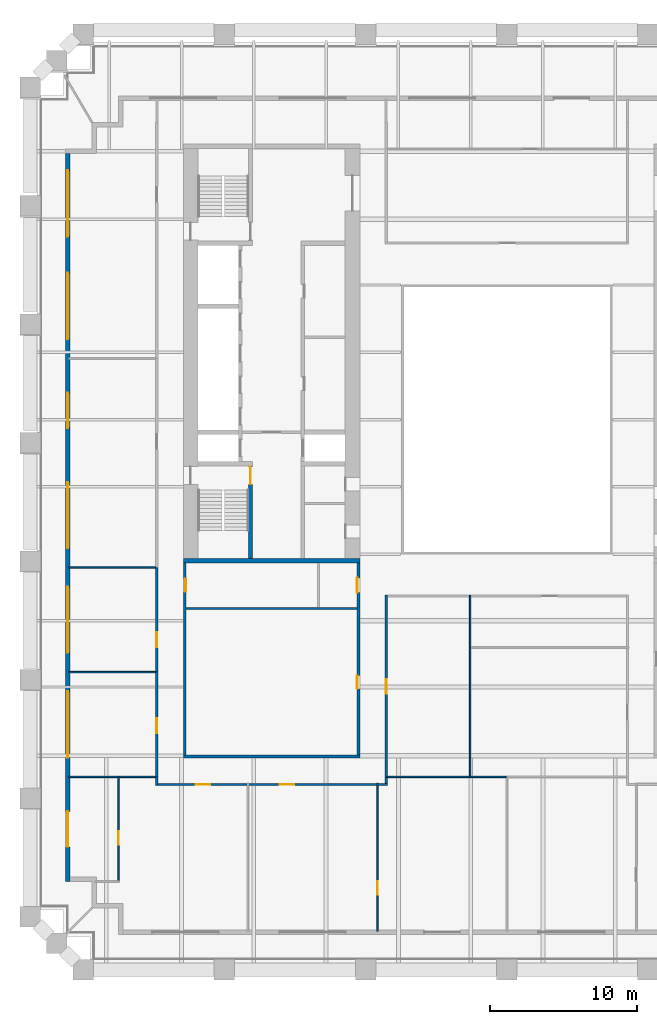
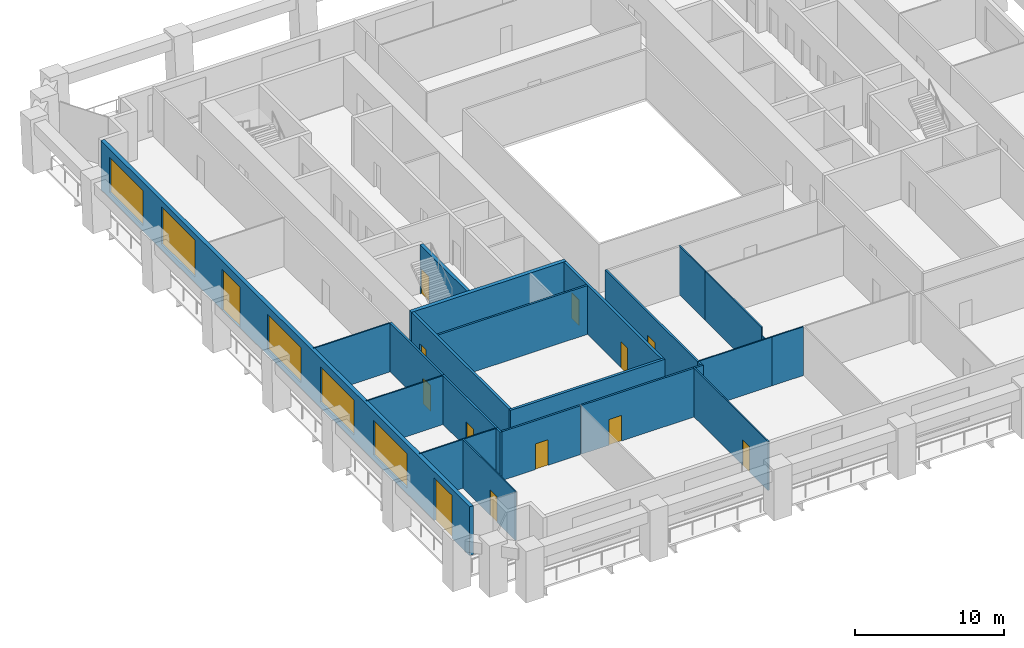
# One storey, part 3 of 10: 26 walls, 13 doors, 5 windows, 18 openings.
"""IFC4 building model written with IfcOpenShell, lengths in metres."""

from ifc_helpers import new_model, si_unit, direction, frame, frame_2d, origin, place, context, subcontext, project, spatial, rectangle, extrude, material, layer, layer_set, type_object, element, fill, save


model = new_model("IFC4")

# Units and contexts
model_context = context("Model", 3, precision=1e-05, world=origin(), true_north=direction((0.0, 1.0)))
body_context = subcontext(model_context, "Body", "Model", "MODEL_VIEW")
ifc_project = project(units=[si_unit("LENGTHUNIT", "METRE"), si_unit("AREAUNIT", "SQUARE_METRE"), si_unit("VOLUMEUNIT", "CUBIC_METRE"), si_unit("PLANEANGLEUNIT", "RADIAN"), si_unit("MASSUNIT", "GRAM", prefix="KILO")], contexts=[model_context])

# Site, building, storey
site_placement = place(None, origin())
site = spatial("IfcSite", under=ifc_project, at=site_placement, CompositionType="ELEMENT")
building_placement = place(site_placement, origin())
building = spatial("IfcBuilding", under=site, at=building_placement, Name="Ogive Exchange Tower", CompositionType="ELEMENT")
storey_placement = place(building_placement, frame((0.0, 0.0, 52.199951171875)))
storey = spatial("IfcBuildingStorey", under=building, at=storey_placement, Name="L10", CompositionType="ELEMENT", Elevation=52.199951171875)

# Walls
ifc_material_1 = material(Name="Gypsum board partition")
ifc_layer_1 = layer(ifc_material_1, 0.14990234375)
ifc_layer_set_1 = layer_set([ifc_layer_1], Name="Core room partition 150 gypsum")
wall_type_1 = type_object("IfcWallType", Name="Core room partition 150 gypsum", PredefinedType="PARTITIONING", material=ifc_layer_set_1)
wall_1_placement = place(storey_placement, frame((-21.800048828125, -5.85009765625, 0.0), z_axis=(0.0, 0.0, 1.0), x_axis=(1.0, 0.0, 0.0)))
element("IfcWall", 1, at=wall_1_placement, inside=storey, type_object=wall_type_1, Name="W annex S wc strip wall 00", PredefinedType="PARTITIONING", context=body_context, shape_type="SweptSolid", body=[
    extrude(rectangle(XDim=11.60009765625, YDim=0.14990234375, at=frame_2d((5.800048828125, 0.0))), origin(), (0.0, 0.0, 1.0), 4.0),
])
ifc_material_2 = material(Name="Fire partition EI 60 150")
ifc_layer_2 = layer(ifc_material_2, 0.14990234375)
ifc_layer_set_2 = layer_set([ifc_layer_2], Name="Fire partition EI 60 150")
wall_type_2 = type_object("IfcWallType", Name="Fire partition EI 60 150", PredefinedType="PARTITIONING", material=ifc_layer_set_2)
wall_2_placement = place(storey_placement, frame((-23.800048828125, -17.875, 0.0), z_axis=(0.0, 0.0, 1.0), x_axis=(0.0, 1.0, 0.0)))
element("IfcWall", 2, at=wall_2_placement, inside=storey, type_object=wall_type_2, Name="L10-PWL-004", PredefinedType="PARTITIONING", context=body_context, shape_type="SweptSolid", body=[
    extrude(rectangle(XDim=0.5849609375, YDim=0.14990234375, at=frame_2d((0.29248046875, 0.0))), origin(), (0.0, 0.0, 1.0), 4.0),
])

# Wall, opening, door
wall_3_placement = place(storey_placement, frame((-23.800048828125, -17.2900390625, 0.0), z_axis=(0.0, 0.0, 1.0), x_axis=(0.0, 1.0, 0.0)))
wall_3 = element("IfcWall", 3, at=wall_3_placement, inside=storey, type_object=wall_type_2, Name="L10-PWL-006", PredefinedType="PARTITIONING", context=body_context, shape_type="SweptSolid", body=[
    extrude(rectangle(XDim=7.169921875, YDim=0.14990234375, at=frame_2d((3.5849609375, 0.0))), origin(), (0.0, 0.0, 1.0), 4.0),
])
opening_1_placement = place(wall_3_placement, frame((2.969970703125, 0.0, 0.0)))
opening_1 = element("IfcOpeningElement", 4, at=opening_1_placement, cuts=wall_3, Name="Opening L10-I13", PredefinedType="OPENING", context=body_context, shape_type="SweptSolid", body=[
    extrude(rectangle(XDim=1.0, YDim=2.10009765625, at=frame_2d((0.5, 1.050048828125))), frame((0.0, 0.0849609375, 0.0), z_axis=(0.0, -1.0, 0.0), x_axis=(1.0, 0.0, 0.0)), (0.0, 0.0, 1.0), 0.169921875),
])
ifc_material_3 = material(Name="Fire door FD 30S 1000 x 2100")
door_type_1 = type_object("IfcDoorType", Name="Fire door FD 30S 1000 x 2100", OperationType="NOTDEFINED", PredefinedType="DOOR", material=ifc_material_3)
door_1_placement = place(opening_1_placement, origin())
door_1 = element("IfcDoor", 5, at=door_1_placement, inside=storey, type_object=door_type_1, Name="L10-IDR-013", ObjectType="DT3", OperationType="SINGLE_SWING_LEFT", OverallHeight=2.10009765625, OverallWidth=1.0, PredefinedType="DOOR", context=body_context, shape_type="SweptSolid", body=[
    extrude(rectangle(XDim=1.0, YDim=2.10009765625, at=frame_2d((0.5, 1.050048828125))), frame((0.0, 0.02490234375, 0.0), z_axis=(0.0, -1.0, 0.0), x_axis=(1.0, 0.0, 0.0)), (0.0, 0.0, 1.0), 0.050048828125),
])
fill(opening_1, door_1)

wall_4_placement = place(storey_placement, frame((-23.800048828125, -10.1201171875, 0.0), z_axis=(0.0, 0.0, 1.0), x_axis=(0.0, 1.0, 0.0)))
wall_4 = element("IfcWall", 6, at=wall_4_placement, inside=storey, type_object=wall_type_2, Name="L10-PWL-008", PredefinedType="PARTITIONING", context=body_context, shape_type="SweptSolid", body=[
    extrude(rectangle(XDim=7.06005859375, YDim=0.14990234375, at=frame_2d((3.530029296875, 0.0))), origin(), (0.0, 0.0, 1.0), 4.0),
])
opening_2_placement = place(wall_4_placement, frame((1.659912109375, 0.0, 0.0)))
opening_2 = element("IfcOpeningElement", 7, at=opening_2_placement, cuts=wall_4, Name="Opening L10-I12", PredefinedType="OPENING", context=body_context, shape_type="SweptSolid", body=[
    extrude(rectangle(XDim=1.0, YDim=2.10009765625, at=frame_2d((0.5, 1.050048828125))), frame((0.0, 0.0849609375, 0.0), z_axis=(0.0, -1.0, 0.0), x_axis=(1.0, 0.0, 0.0)), (0.0, 0.0, 1.0), 0.169921875),
])
door_2_placement = place(opening_2_placement, origin())
door_2 = element("IfcDoor", 8, at=door_2_placement, inside=storey, type_object=door_type_1, Name="L10-IDR-012", ObjectType="DT3", OperationType="SINGLE_SWING_RIGHT", OverallHeight=2.10009765625, OverallWidth=1.0, PredefinedType="DOOR", context=body_context, shape_type="SweptSolid", body=[
    extrude(rectangle(XDim=1.0, YDim=2.10009765625, at=frame_2d((0.5, 1.050048828125))), frame((0.0, 0.02490234375, 0.0), z_axis=(0.0, -1.0, 0.0), x_axis=(1.0, 0.0, 0.0)), (0.0, 0.0, 1.0), 0.050048828125),
])
fill(opening_2, door_2)

wall_5_placement = place(storey_placement, frame((-17.64990234375, -17.800048828125, 0.0), z_axis=(0.0, 0.0, 1.0), x_axis=(-1.0, 0.0, 0.0)))
wall_5 = element("IfcWall", 9, at=wall_5_placement, inside=storey, type_object=wall_type_2, Name="L10-PWL-015", PredefinedType="PARTITIONING", context=body_context, shape_type="SweptSolid", body=[
    extrude(rectangle(XDim=6.0751953125, YDim=0.14990234375, at=frame_2d((3.03759765625, 0.0))), origin(), (0.0, 0.0, 1.0), 4.0),
])
opening_3_placement = place(wall_5_placement, frame((2.5, 0.0, 0.0)))
opening_3 = element("IfcOpeningElement", 10, at=opening_3_placement, cuts=wall_5, Name="Opening L10-I20", PredefinedType="OPENING", context=body_context, shape_type="SweptSolid", body=[
    extrude(rectangle(XDim=1.0, YDim=2.10009765625, at=frame_2d((0.5, 1.050048828125))), frame((0.0, 0.0849609375, 0.0), z_axis=(0.0, -1.0, 0.0), x_axis=(1.0, 0.0, 0.0)), (0.0, 0.0, 1.0), 0.169921875),
])
door_3_placement = place(opening_3_placement, origin())
door_3 = element("IfcDoor", 11, at=door_3_placement, inside=storey, type_object=door_type_1, Name="L10-IDR-020", ObjectType="DT3", OperationType="SINGLE_SWING_RIGHT", OverallHeight=2.10009765625, OverallWidth=1.0, PredefinedType="DOOR", context=body_context, shape_type="SweptSolid", body=[
    extrude(rectangle(XDim=1.0, YDim=2.10009765625, at=frame_2d((0.5, 1.050048828125))), frame((0.0, 0.02490234375, 0.0), z_axis=(0.0, -1.0, 0.0), x_axis=(1.0, 0.0, 0.0)), (0.0, 0.0, 1.0), 0.050048828125),
])
fill(opening_3, door_3)

wall_6_placement = place(storey_placement, frame((-8.85009765625, -17.800048828125, 0.0), z_axis=(0.0, 0.0, 1.0), x_axis=(-1.0, 0.0, 0.0)))
wall_6 = element("IfcWall", 12, at=wall_6_placement, inside=storey, type_object=wall_type_2, Name="L10-PWL-017", PredefinedType="PARTITIONING", context=body_context, shape_type="SweptSolid", body=[
    extrude(rectangle(XDim=8.699951171875, YDim=0.14990234375, at=frame_2d((4.35009765625, 0.0))), origin(), (0.0, 0.0, 1.0), 4.0),
])
opening_4_placement = place(wall_6_placement, frame((5.60009765625, 0.0, 0.0)))
opening_4 = element("IfcOpeningElement", 13, at=opening_4_placement, cuts=wall_6, Name="Opening L10-I19", PredefinedType="OPENING", context=body_context, shape_type="SweptSolid", body=[
    extrude(rectangle(XDim=1.0, YDim=2.10009765625, at=frame_2d((0.5, 1.050048828125))), frame((0.0, 0.0849609375, 0.0), z_axis=(0.0, -1.0, 0.0), x_axis=(1.0, 0.0, 0.0)), (0.0, 0.0, 1.0), 0.169921875),
])
door_4_placement = place(opening_4_placement, origin())
door_4 = element("IfcDoor", 14, at=door_4_placement, inside=storey, type_object=door_type_1, Name="L10-IDR-019", ObjectType="DT3", OperationType="SINGLE_SWING_LEFT", OverallHeight=2.10009765625, OverallWidth=1.0, PredefinedType="DOOR", context=body_context, shape_type="SweptSolid", body=[
    extrude(rectangle(XDim=1.0, YDim=2.10009765625, at=frame_2d((0.5, 1.050048828125))), frame((0.0, 0.02490234375, 0.0), z_axis=(0.0, -1.0, 0.0), x_axis=(1.0, 0.0, 0.0)), (0.0, 0.0, 1.0), 0.050048828125),
])
fill(opening_4, door_4)

# Walls
wall_7_placement = place(storey_placement, frame((-8.125, -17.800048828125, 0.0), z_axis=(0.0, 0.0, 1.0), x_axis=(-1.0, 0.0, 0.0)))
element("IfcWall", 15, at=wall_7_placement, inside=storey, type_object=wall_type_2, Name="L10-PWL-019", PredefinedType="PARTITIONING", context=body_context, shape_type="SweptSolid", body=[
    extrude(rectangle(XDim=0.625, YDim=0.14990234375, at=frame_2d((0.3125, 0.0))), origin(), (0.0, 0.0, 1.0), 4.0),
])
wall_8_placement = place(storey_placement, frame((-8.199951171875, -17.340087890625, 0.0), z_axis=(0.0, 0.0, 1.0), x_axis=(0.0, -1.0, 0.0)))
element("IfcWall", 16, at=wall_8_placement, inside=storey, type_object=wall_type_2, Name="L10-PWL-020", PredefinedType="PARTITIONING", context=body_context, shape_type="SweptSolid", body=[
    extrude(rectangle(XDim=0.385009765625, YDim=0.14990234375, at=frame_2d((0.1923828125, 0.0))), origin(), (0.0, 0.0, 1.0), 4.0),
])

# Wall, opening, door
wall_9_placement = place(storey_placement, frame((-8.199951171875, -4.925048828125, 0.0), z_axis=(0.0, 0.0, 1.0), x_axis=(0.0, -1.0, 0.0)))
wall_9 = element("IfcWall", 17, at=wall_9_placement, inside=storey, type_object=wall_type_2, Name="L10-PWL-021", PredefinedType="PARTITIONING", context=body_context, shape_type="SweptSolid", body=[
    extrude(rectangle(XDim=12.4150390625, YDim=0.14990234375, at=frame_2d((6.20751953125, 0.0))), origin(), (0.0, 0.0, 1.0), 4.0),
])
opening_5_placement = place(wall_9_placement, frame((5.715087890625, 0.0, 0.0)))
opening_5 = element("IfcOpeningElement", 18, at=opening_5_placement, cuts=wall_9, Name="Opening L10-I10", PredefinedType="OPENING", context=body_context, shape_type="SweptSolid", body=[
    extrude(rectangle(XDim=1.0, YDim=2.10009765625, at=frame_2d((0.5, 1.050048828125))), frame((0.0, 0.0849609375, 0.0), z_axis=(0.0, -1.0, 0.0), x_axis=(1.0, 0.0, 0.0)), (0.0, 0.0, 1.0), 0.169921875),
])
door_5_placement = place(opening_5_placement, origin())
door_5 = element("IfcDoor", 19, at=door_5_placement, inside=storey, type_object=door_type_1, Name="L10-IDR-010", ObjectType="DT3", OperationType="SINGLE_SWING_LEFT", OverallHeight=2.10009765625, OverallWidth=1.0, PredefinedType="DOOR", context=body_context, shape_type="SweptSolid", body=[
    extrude(rectangle(XDim=1.0, YDim=2.10009765625, at=frame_2d((0.5, 1.050048828125))), frame((0.0, 0.02490234375, 0.0), z_axis=(0.0, -1.0, 0.0), x_axis=(1.0, 0.0, 0.0)), (0.0, 0.0, 1.0), 0.050048828125),
])
fill(opening_5, door_5)

# Wall, openings, doors, windows
ifc_material_4 = material(Name="Precast concrete C40/50", Category="concrete")
ifc_layer_3 = layer(ifc_material_4, 0.300048828125)
ifc_layer_set_3 = layer_set([ifc_layer_3], Name="Limestone-faced wall 300")
wall_type_3 = type_object("IfcWallType", Name="Limestone-faced wall 300", PredefinedType="STANDARD", material=ifc_layer_set_3)
wall_10_placement = place(storey_placement, frame((-29.85009765625, 25.10009765625, 0.0), z_axis=(0.0, 0.0, 1.0), x_axis=(0.0, -1.0, 0.0)))
wall_10 = element("IfcWall", 20, at=wall_10_placement, inside=storey, type_object=wall_type_3, Name="External wall W4", PredefinedType="STANDARD", context=body_context, shape_type="SweptSolid", body=[
    extrude(rectangle(XDim=49.5, YDim=0.300048828125, at=frame_2d((24.75, 0.0))), origin(), (0.0, 0.0, 1.0), 4.0),
])
opening_6_placement = place(wall_10_placement, frame((1.156982421875, 0.0, 0.449951171875)))
opening_6 = element("IfcOpeningElement", 21, at=opening_6_placement, cuts=wall_10, Name="Opening W1D", PredefinedType="OPENING", context=body_context, shape_type="SweptSolid", body=[
    extrude(rectangle(XDim=4.5, YDim=2.875, at=frame_2d((2.25, 1.4375))), frame((0.0, 0.159912109375, 0.0), z_axis=(0.0, -1.0, 0.0), x_axis=(1.0, 0.0, 0.0)), (0.0, 0.0, 1.0), 0.320068359375),
])
opening_7_placement = place(wall_10_placement, frame((8.121337890625, 0.0, 0.449951171875)))
opening_7 = element("IfcOpeningElement", 22, at=opening_7_placement, cuts=wall_10, Name="Opening W1", PredefinedType="OPENING", context=body_context, shape_type="SweptSolid", body=[
    extrude(rectangle(XDim=4.5, YDim=3.050048828125, at=frame_2d((2.25, 1.52490234375))), frame((0.0, 0.159912109375, 0.0), z_axis=(0.0, -1.0, 0.0), x_axis=(1.0, 0.0, 0.0)), (0.0, 0.0, 1.0), 0.320068359375),
])
opening_8_placement = place(wall_10_placement, frame((16.28564453125, 0.0, 0.0)))
opening_8 = element("IfcOpeningElement", 23, at=opening_8_placement, cuts=wall_10, Name="Opening D1C", PredefinedType="OPENING", context=body_context, shape_type="SweptSolid", body=[
    extrude(rectangle(XDim=2.39990234375, YDim=3.324951171875, at=frame_2d((1.199951171875, 1.66259765625))), frame((0.0, 0.159912109375, 0.0), z_axis=(0.0, -1.0, 0.0), x_axis=(1.0, 0.0, 0.0)), (0.0, 0.0, 1.0), 0.320068359375),
])
opening_9_placement = place(wall_10_placement, frame((22.35009765625, 0.0, 0.449951171875)))
opening_9 = element("IfcOpeningElement", 24, at=opening_9_placement, cuts=wall_10, Name="Opening W1D", PredefinedType="OPENING", context=body_context, shape_type="SweptSolid", body=[
    extrude(rectangle(XDim=4.5, YDim=2.875, at=frame_2d((2.25, 1.4375))), frame((0.0, 0.159912109375, 0.0), z_axis=(0.0, -1.0, 0.0), x_axis=(1.0, 0.0, 0.0)), (0.0, 0.0, 1.0), 0.320068359375),
])
opening_10_placement = place(wall_10_placement, frame((29.464111328125, 0.0, 0.449951171875)))
opening_10 = element("IfcOpeningElement", 25, at=opening_10_placement, cuts=wall_10, Name="Opening W1D", PredefinedType="OPENING", context=body_context, shape_type="SweptSolid", body=[
    extrude(rectangle(XDim=4.5, YDim=2.875, at=frame_2d((2.25, 1.4375))), frame((0.0, 0.159912109375, 0.0), z_axis=(0.0, -1.0, 0.0), x_axis=(1.0, 0.0, 0.0)), (0.0, 0.0, 1.0), 0.320068359375),
])
opening_11_placement = place(wall_10_placement, frame((36.57861328125, 0.0, 0.449951171875)))
opening_11 = element("IfcOpeningElement", 26, at=opening_11_placement, cuts=wall_10, Name="Opening W1E", PredefinedType="OPENING", context=body_context, shape_type="SweptSolid", body=[
    extrude(rectangle(XDim=4.5, YDim=2.824951171875, at=frame_2d((2.25, 1.41259765625))), frame((0.0, 0.159912109375, 0.0), z_axis=(0.0, -1.0, 0.0), x_axis=(1.0, 0.0, 0.0)), (0.0, 0.0, 1.0), 0.320068359375),
])
opening_12_placement = place(wall_10_placement, frame((44.742919921875, 0.0, 0.0)))
opening_12 = element("IfcOpeningElement", 27, at=opening_12_placement, cuts=wall_10, Name="Opening D1", PredefinedType="OPENING", context=body_context, shape_type="SweptSolid", body=[
    extrude(rectangle(XDim=2.39990234375, YDim=3.5, at=frame_2d((1.199951171875, 1.75))), frame((0.0, 0.159912109375, 0.0), z_axis=(0.0, -1.0, 0.0), x_axis=(1.0, 0.0, 0.0)), (0.0, 0.0, 1.0), 0.320068359375),
])
ifc_material_5 = material(Name="Clear glass in bronze frame", Category="glass")
door_type_2 = type_object("IfcDoorType", Name="Sliding loggia door 2400 x 3325", OperationType="DOUBLE_DOOR_SLIDING", PredefinedType="DOOR", material=ifc_material_5)
door_6_placement = place(opening_8_placement, origin())
door_6 = element("IfcDoor", 28, at=door_6_placement, inside=storey, type_object=door_type_2, Name="Loggia door W02", OperationType="DOUBLE_DOOR_SLIDING", OverallHeight=3.324951171875, OverallWidth=2.39990234375, PredefinedType="DOOR", context=body_context, shape_type="SweptSolid", body=[
    extrude(rectangle(XDim=2.39990234375, YDim=3.324951171875, at=frame_2d((1.199951171875, 1.66259765625))), frame((0.0, 0.02490234375, 0.0), z_axis=(0.0, -1.0, 0.0), x_axis=(1.0, 0.0, 0.0)), (0.0, 0.0, 1.0), 0.050048828125),
])
fill(opening_8, door_6)
door_type_3 = type_object("IfcDoorType", Name="Sliding loggia door 2400 x 3500", OperationType="DOUBLE_DOOR_SLIDING", PredefinedType="DOOR", material=ifc_material_5)
door_7_placement = place(opening_12_placement, origin())
door_7 = element("IfcDoor", 29, at=door_7_placement, inside=storey, type_object=door_type_3, Name="Loggia door W06", OperationType="DOUBLE_DOOR_SLIDING", OverallHeight=3.5, OverallWidth=2.39990234375, PredefinedType="DOOR", context=body_context, shape_type="SweptSolid", body=[
    extrude(rectangle(XDim=2.39990234375, YDim=3.5, at=frame_2d((1.199951171875, 1.75))), frame((0.0, 0.02490234375, 0.0), z_axis=(0.0, -1.0, 0.0), x_axis=(1.0, 0.0, 0.0)), (0.0, 0.0, 1.0), 0.050048828125),
])
fill(opening_12, door_7)
window_type_1 = type_object("IfcWindowType", Name="Twin lancet window 4500 x 2825", PartitioningType="DOUBLE_PANEL_VERTICAL", PredefinedType="WINDOW", material=ifc_material_5)
window_1_placement = place(opening_11_placement, origin())
window_1 = element("IfcWindow", 30, at=window_1_placement, inside=storey, type_object=window_type_1, Name="Window W05", OverallHeight=2.824951171875, OverallWidth=4.5, PartitioningType="DOUBLE_PANEL_VERTICAL", PredefinedType="WINDOW", context=body_context, shape_type="SweptSolid", body=[
    extrude(rectangle(XDim=4.5, YDim=2.824951171875, at=frame_2d((2.25, 1.41259765625))), frame((0.0, 0.030029296875, 0.0), z_axis=(0.0, -1.0, 0.0), x_axis=(1.0, 0.0, 0.0)), (0.0, 0.0, 1.0), 0.06005859375),
])
fill(opening_11, window_1)
window_type_2 = type_object("IfcWindowType", Name="Twin lancet window 4500 x 2875", PartitioningType="DOUBLE_PANEL_VERTICAL", PredefinedType="WINDOW", material=ifc_material_5)
window_2_placement = place(opening_6_placement, origin())
window_2 = element("IfcWindow", 31, at=window_2_placement, inside=storey, type_object=window_type_2, Name="Window W00", OverallHeight=2.875, OverallWidth=4.5, PartitioningType="DOUBLE_PANEL_VERTICAL", PredefinedType="WINDOW", context=body_context, shape_type="SweptSolid", body=[
    extrude(rectangle(XDim=4.5, YDim=2.875, at=frame_2d((2.25, 1.4375))), frame((0.0, 0.030029296875, 0.0), z_axis=(0.0, -1.0, 0.0), x_axis=(1.0, 0.0, 0.0)), (0.0, 0.0, 1.0), 0.06005859375),
])
fill(opening_6, window_2)
window_3_placement = place(opening_9_placement, origin())
window_3 = element("IfcWindow", 32, at=window_3_placement, inside=storey, type_object=window_type_2, Name="Window W03", OverallHeight=2.875, OverallWidth=4.5, PartitioningType="DOUBLE_PANEL_VERTICAL", PredefinedType="WINDOW", context=body_context, shape_type="SweptSolid", body=[
    extrude(rectangle(XDim=4.5, YDim=2.875, at=frame_2d((2.25, 1.4375))), frame((0.0, 0.030029296875, 0.0), z_axis=(0.0, -1.0, 0.0), x_axis=(1.0, 0.0, 0.0)), (0.0, 0.0, 1.0), 0.06005859375),
])
fill(opening_9, window_3)
window_4_placement = place(opening_10_placement, origin())
window_4 = element("IfcWindow", 33, at=window_4_placement, inside=storey, type_object=window_type_2, Name="Window W04", OverallHeight=2.875, OverallWidth=4.5, PartitioningType="DOUBLE_PANEL_VERTICAL", PredefinedType="WINDOW", context=body_context, shape_type="SweptSolid", body=[
    extrude(rectangle(XDim=4.5, YDim=2.875, at=frame_2d((2.25, 1.4375))), frame((0.0, 0.030029296875, 0.0), z_axis=(0.0, -1.0, 0.0), x_axis=(1.0, 0.0, 0.0)), (0.0, 0.0, 1.0), 0.06005859375),
])
fill(opening_10, window_4)
window_type_3 = type_object("IfcWindowType", Name="Twin lancet window 4500 x 3050", PartitioningType="DOUBLE_PANEL_VERTICAL", PredefinedType="WINDOW", material=ifc_material_5)
window_5_placement = place(opening_7_placement, origin())
window_5 = element("IfcWindow", 34, at=window_5_placement, inside=storey, type_object=window_type_3, Name="Window W01", OverallHeight=3.050048828125, OverallWidth=4.5, PartitioningType="DOUBLE_PANEL_VERTICAL", PredefinedType="WINDOW", context=body_context, shape_type="SweptSolid", body=[
    extrude(rectangle(XDim=4.5, YDim=3.050048828125, at=frame_2d((2.25, 1.52490234375))), frame((0.0, 0.030029296875, 0.0), z_axis=(0.0, -1.0, 0.0), x_axis=(1.0, 0.0, 0.0)), (0.0, 0.0, 1.0), 0.06005859375),
])
fill(opening_7, window_5)

# Wall, opening, door
ifc_material_6 = material(Name="Partition 100 gypsum")
ifc_layer_4 = layer(ifc_material_6, 0.10009765625)
ifc_layer_set_4 = layer_set([ifc_layer_4], Name="Partition 100 gypsum")
wall_type_4 = type_object("IfcWallType", Name="Partition 100 gypsum", PredefinedType="PARTITIONING", material=ifc_layer_set_4)
wall_11_placement = place(storey_placement, frame((-26.39990234375, -24.360107421875, 0.0), z_axis=(0.0, 0.0, 1.0), x_axis=(0.0, 1.0, 0.0)))
wall_11 = element("IfcWall", 35, at=wall_11_placement, inside=storey, type_object=wall_type_4, Name="L10-PWL-002", PredefinedType="PARTITIONING", context=body_context, shape_type="SweptSolid", body=[
    extrude(rectangle(XDim=7.1201171875, YDim=0.10009765625, at=frame_2d((3.56005859375, 0.0))), origin(), (0.0, 0.0, 1.0), 4.0),
])
opening_13_placement = place(wall_11_placement, frame((2.469970703125, 0.0, 0.0)))
opening_13 = element("IfcOpeningElement", 36, at=opening_13_placement, cuts=wall_11, Name="Opening L10-I21", PredefinedType="OPENING", context=body_context, shape_type="SweptSolid", body=[
    extrude(rectangle(XDim=0.89990234375, YDim=2.10009765625, at=frame_2d((0.449951171875, 1.050048828125))), frame((0.0, 0.06005859375, 0.0), z_axis=(0.0, -1.0, 0.0), x_axis=(1.0, 0.0, 0.0)), (0.0, 0.0, 1.0), 0.1201171875),
])
ifc_material_7 = material(Name="Door 900 x 2100")
door_type_4 = type_object("IfcDoorType", Name="Door 900 x 2100", OperationType="NOTDEFINED", PredefinedType="DOOR", material=ifc_material_7)
door_8_placement = place(opening_13_placement, origin())
door_8 = element("IfcDoor", 37, at=door_8_placement, inside=storey, type_object=door_type_4, Name="L10-IDR-021", ObjectType="DT1", OperationType="SINGLE_SWING_RIGHT", OverallHeight=2.10009765625, OverallWidth=0.89990234375, PredefinedType="DOOR", context=body_context, shape_type="SweptSolid", body=[
    extrude(rectangle(XDim=0.89990234375, YDim=2.10009765625, at=frame_2d((0.449951171875, 1.050048828125))), frame((0.0, 0.02490234375, 0.0), z_axis=(0.0, -1.0, 0.0), x_axis=(1.0, 0.0, 0.0)), (0.0, 0.0, 1.0), 0.050048828125),
])
fill(opening_13, door_8)

# Walls
wall_12_placement = place(storey_placement, frame((-26.449951171875, -17.2900390625, 0.0), z_axis=(0.0, 0.0, 1.0), x_axis=(-1.0, 0.0, 0.0)))
element("IfcWall", 38, at=wall_12_placement, inside=storey, type_object=wall_type_4, Name="L10-PWL-003", PredefinedType="PARTITIONING", context=body_context, shape_type="SweptSolid", body=[
    extrude(rectangle(XDim=3.35009765625, YDim=0.10009765625, at=frame_2d((1.675048828125, 0.0))), origin(), (0.0, 0.0, 1.0), 4.0),
])
wall_13_placement = place(storey_placement, frame((-23.875, -17.2900390625, 0.0), z_axis=(0.0, 0.0, 1.0), x_axis=(-1.0, 0.0, 0.0)))
element("IfcWall", 39, at=wall_13_placement, inside=storey, type_object=wall_type_4, Name="L10-PWL-005", PredefinedType="PARTITIONING", context=body_context, shape_type="SweptSolid", body=[
    extrude(rectangle(XDim=2.47509765625, YDim=0.10009765625, at=frame_2d((1.237548828125, 0.0))), origin(), (0.0, 0.0, 1.0), 4.0),
])
for number, where, z_axis, x_axis, name in (
    (40, (-23.875, -10.169921875, 0.0), (0.0, 0.0, 1.0), (-1.0, 0.0, 0.0), "L10-PWL-007"),
    (41, (-23.875, -3.06005859375, 0.0), (0.0, 0.0, 1.0), (-1.0, 0.0, 0.0), "L10-PWL-009"),
):
    element("IfcWall", number, at=place(storey_placement, frame(where, z_axis=z_axis, x_axis=x_axis)), inside=storey, type_object=wall_type_4, Name=name, PredefinedType="PARTITIONING", context=body_context, shape_type="SweptSolid", body=[
        extrude(rectangle(XDim=5.925048828125, YDim=0.10009765625, at=frame_2d((2.96240234375, 0.0))), origin(), (0.0, 0.0, 1.0), 4.0),
    ])

# Wall, opening, door
wall_14_placement = place(storey_placement, frame((-8.800048828125, -27.800048828125, 0.0), z_axis=(0.0, 0.0, 1.0), x_axis=(0.0, 1.0, 0.0)))
wall_14 = element("IfcWall", 42, at=wall_14_placement, inside=storey, type_object=wall_type_4, Name="L10-PWL-016", PredefinedType="PARTITIONING", context=body_context, shape_type="SweptSolid", body=[
    extrude(rectangle(XDim=10.074951171875, YDim=0.10009765625, at=frame_2d((5.03759765625, 0.0))), origin(), (0.0, 0.0, 1.0), 4.0),
])
opening_14_placement = place(wall_14_placement, frame((2.5, 0.0, 0.0)))
opening_14 = element("IfcOpeningElement", 43, at=opening_14_placement, cuts=wall_14, Name="Opening L10-I18", PredefinedType="OPENING", context=body_context, shape_type="SweptSolid", body=[
    extrude(rectangle(XDim=0.89990234375, YDim=2.10009765625, at=frame_2d((0.449951171875, 1.050048828125))), frame((0.0, 0.06005859375, 0.0), z_axis=(0.0, -1.0, 0.0), x_axis=(1.0, 0.0, 0.0)), (0.0, 0.0, 1.0), 0.1201171875),
])
door_9_placement = place(opening_14_placement, origin())
door_9 = element("IfcDoor", 44, at=door_9_placement, inside=storey, type_object=door_type_4, Name="L10-IDR-018", ObjectType="DT1", OperationType="SINGLE_SWING_RIGHT", OverallHeight=2.10009765625, OverallWidth=0.89990234375, PredefinedType="DOOR", context=body_context, shape_type="SweptSolid", body=[
    extrude(rectangle(XDim=0.89990234375, YDim=2.10009765625, at=frame_2d((0.449951171875, 1.050048828125))), frame((0.0, 0.02490234375, 0.0), z_axis=(0.0, -1.0, 0.0), x_axis=(1.0, 0.0, 0.0)), (0.0, 0.0, 1.0), 0.050048828125),
])
fill(opening_14, door_9)

# Walls
wall_15_placement = place(storey_placement, frame((-2.449951171875, -17.2900390625, 0.0), z_axis=(0.0, 0.0, 1.0), x_axis=(-1.0, 0.0, 0.0)))
element("IfcWall", 45, at=wall_15_placement, inside=storey, type_object=wall_type_4, Name="L10-PWL-026", PredefinedType="PARTITIONING", context=body_context, shape_type="SweptSolid", body=[
    extrude(rectangle(XDim=5.675048828125, YDim=0.10009765625, at=frame_2d((2.83740234375, 0.0))), origin(), (0.0, 0.0, 1.0), 4.0),
])
wall_16_placement = place(storey_placement, frame((-2.5, -17.239990234375, 0.0), z_axis=(0.0, 0.0, 1.0), x_axis=(0.0, 1.0, 0.0)))
element("IfcWall", 46, at=wall_16_placement, inside=storey, type_object=wall_type_4, Name="L10-PWL-027", PredefinedType="PARTITIONING", context=body_context, shape_type="SweptSolid", body=[
    extrude(rectangle(XDim=1.244873046875, YDim=0.10009765625, at=frame_2d((0.62255859375, 0.0))), origin(), (0.0, 0.0, 1.0), 3.322021484375),
])
wall_17_placement = place(storey_placement, frame((-2.5, -8.449951171875, 0.0), z_axis=(0.0, 0.0, 1.0), x_axis=(0.0, 1.0, 0.0)))
element("IfcWall", 47, at=wall_17_placement, inside=storey, type_object=wall_type_4, Name="L10-PWL-028", PredefinedType="PARTITIONING", context=body_context, shape_type="SweptSolid", body=[
    extrude(rectangle(XDim=3.52490234375, YDim=0.10009765625, at=frame_2d((1.762451171875, 0.0))), origin(), (0.0, 0.0, 1.0), 4.0),
])
wall_18_placement = place(storey_placement, frame((-0.050048828125, -17.2900390625, 0.0), z_axis=(0.0, 0.0, 1.0), x_axis=(-1.0, 0.0, 0.0)))
element("IfcWall", 48, at=wall_18_placement, inside=storey, type_object=wall_type_4, Name="L10-PWL-032", PredefinedType="PARTITIONING", context=body_context, shape_type="SweptSolid", body=[
    extrude(rectangle(XDim=2.449951171875, YDim=0.10009765625, at=frame_2d((1.22509765625, 0.0))), origin(), (0.0, 0.0, 1.0), 4.0),
])
wall_19_placement = place(storey_placement, frame((-2.5, -15.9951171875, 0.0), z_axis=(0.0, 0.0, 1.0), x_axis=(0.0, 1.0, 0.0)))
element("IfcWall", 49, at=wall_19_placement, inside=storey, type_object=wall_type_4, Name="L10-PWL-027", PredefinedType="PARTITIONING", context=body_context, shape_type="SweptSolid", body=[
    extrude(rectangle(XDim=7.545166015625, YDim=0.10009765625, at=frame_2d((3.7724609375, 0.0))), origin(), (0.0, 0.0, 1.0), 4.0),
])

# Wall, opening, door
ifc_material_8 = material(Name="Concrete C70/85", Category="concrete")
ifc_layer_5 = layer(ifc_material_8, 0.199951171875)
ifc_layer_set_5 = layer_set([ifc_layer_5], Name="RC core wall 200 C70/85")
wall_type_5 = type_object("IfcWallType", Name="RC core wall 200 C70/85", PredefinedType="SHEAR", material=ifc_layer_set_5)
wall_20_placement = place(storey_placement, frame((-21.89990234375, -15.800048828125, 0.0), z_axis=(0.0, 0.0, 1.0), x_axis=(0.0, 1.0, 0.0)))
wall_20 = element("IfcWall", 50, at=wall_20_placement, inside=storey, type_object=wall_type_5, Name="W annex S outer wall", PredefinedType="SHEAR", context=body_context, shape_type="SweptSolid", body=[
    extrude(rectangle(XDim=13.050048828125, YDim=0.199951171875, at=frame_2d((6.52490234375, 0.0))), origin(), (0.0, 0.0, 1.0), 4.0),
])
opening_15_placement = place(wall_20_placement, frame((11.08740234375, 0.0, 0.0)))
opening_15 = element("IfcOpeningElement", 51, at=opening_15_placement, cuts=wall_20, Name="Opening L10-C21", PredefinedType="OPENING", context=body_context, shape_type="SweptSolid", body=[
    extrude(rectangle(XDim=0.89990234375, YDim=2.10009765625, at=frame_2d((0.449951171875, 1.050048828125))), frame((0.0, 0.10986328125, 0.0), z_axis=(0.0, -1.0, 0.0), x_axis=(1.0, 0.0, 0.0)), (0.0, 0.0, 1.0), 0.219970703125),
])
ifc_material_9 = material(Name="Timber fire door", Category="wood")
door_type_5 = type_object("IfcDoorType", Name="Core room door FD30S 900 x 2100", OperationType="NOTDEFINED", PredefinedType="DOOR", material=ifc_material_9)
door_10_placement = place(opening_15_placement, frame((0.89990234375, -0.14990234375, 0.0), z_axis=(0.0, 0.0, 1.0), x_axis=(-1.0, 0.0, 0.0)))
door_10 = element("IfcDoor", 52, at=door_10_placement, inside=storey, type_object=door_type_5, Name="Core room door", ObjectType="CD6", OperationType="SINGLE_SWING_LEFT", OverallHeight=2.10009765625, OverallWidth=0.89990234375, PredefinedType="DOOR", context=body_context, shape_type="SweptSolid", body=[
    extrude(rectangle(XDim=0.89990234375, YDim=2.10009765625, at=frame_2d((0.449951171875, 1.050048828125))), frame((0.0, -0.0498046875, 0.0), z_axis=(0.0, -1.0, 0.0), x_axis=(1.0, 0.0, 0.0)), (0.0, 0.0, 1.0), 0.050048828125),
])
fill(opening_15, door_10)

# Wall, openings, doors
wall_21_placement = place(storey_placement, frame((-10.10009765625, -15.800048828125, 0.0), z_axis=(0.0, 0.0, 1.0), x_axis=(0.0, 1.0, 0.0)))
wall_21 = element("IfcWall", 53, at=wall_21_placement, inside=storey, type_object=wall_type_5, Name="W annex S inner wall", PredefinedType="SHEAR", context=body_context, shape_type="SweptSolid", body=[
    extrude(rectangle(XDim=13.050048828125, YDim=0.199951171875, at=frame_2d((6.52490234375, 0.0))), origin(), (0.0, 0.0, 1.0), 4.0),
])
opening_16_placement = place(wall_21_placement, frame((4.487548828125, 0.0, 0.0)))
opening_16 = element("IfcOpeningElement", 54, at=opening_16_placement, cuts=wall_21, Name="Opening L10-C19", PredefinedType="OPENING", context=body_context, shape_type="SweptSolid", body=[
    extrude(rectangle(XDim=0.89990234375, YDim=2.10009765625, at=frame_2d((0.449951171875, 1.050048828125))), frame((0.0, 0.10986328125, 0.0), z_axis=(0.0, -1.0, 0.0), x_axis=(1.0, 0.0, 0.0)), (0.0, 0.0, 1.0), 0.219970703125),
])
opening_17_placement = place(wall_21_placement, frame((11.03759765625, 0.0, 0.0)))
opening_17 = element("IfcOpeningElement", 55, at=opening_17_placement, cuts=wall_21, Name="Opening L10-C20", PredefinedType="OPENING", context=body_context, shape_type="SweptSolid", body=[
    extrude(rectangle(XDim=1.0, YDim=2.10009765625, at=frame_2d((0.5, 1.050048828125))), frame((0.0, 0.10986328125, 0.0), z_axis=(0.0, -1.0, 0.0), x_axis=(1.0, 0.0, 0.0)), (0.0, 0.0, 1.0), 0.219970703125),
])
door_type_6 = type_object("IfcDoorType", Name="Accessible WC door FD30S 1000 x 2100", OperationType="NOTDEFINED", PredefinedType="DOOR", material=ifc_material_9)
door_11_placement = place(opening_17_placement, origin())
door_11 = element("IfcDoor", 56, at=door_11_placement, inside=storey, type_object=door_type_6, Name="Accessible WC door", ObjectType="CD7", OperationType="SINGLE_SWING_RIGHT", OverallHeight=2.10009765625, OverallWidth=1.0, PredefinedType="DOOR", context=body_context, shape_type="SweptSolid", body=[
    extrude(rectangle(XDim=1.0, YDim=2.10009765625, at=frame_2d((0.5, 1.050048828125))), frame((0.0, 0.10009765625, 0.0), z_axis=(0.0, -1.0, 0.0), x_axis=(1.0, 0.0, 0.0)), (0.0, 0.0, 1.0), 0.050048828125),
])
fill(opening_17, door_11)
ifc_material_10 = material(Name="Steel fire door", Category="steel")
door_type_7 = type_object("IfcDoorType", Name="Riser door FD60 900 x 2100", OperationType="NOTDEFINED", PredefinedType="DOOR", material=ifc_material_10)
door_12_placement = place(opening_16_placement, origin())
door_12 = element("IfcDoor", 57, at=door_12_placement, inside=storey, type_object=door_type_7, Name="Riser door", ObjectType="CD2", OperationType="SINGLE_SWING_LEFT", OverallHeight=2.10009765625, OverallWidth=0.89990234375, PredefinedType="DOOR", context=body_context, shape_type="SweptSolid", body=[
    extrude(rectangle(XDim=0.89990234375, YDim=2.10009765625, at=frame_2d((0.449951171875, 1.050048828125))), frame((0.0, 0.10009765625, 0.0), z_axis=(0.0, -1.0, 0.0), x_axis=(1.0, 0.0, 0.0)), (0.0, 0.0, 1.0), 0.050048828125),
])
fill(opening_16, door_12)

# Wall
wall_22_placement = place(storey_placement, frame((-22.0, -15.89990234375, 0.0), z_axis=(0.0, 0.0, 1.0), x_axis=(1.0, 0.0, 0.0)))
element("IfcWall", 58, at=wall_22_placement, inside=storey, type_object=wall_type_5, Name="W annex S end wall", PredefinedType="SHEAR", context=body_context, shape_type="SweptSolid", body=[
    extrude(rectangle(XDim=12.0, YDim=0.199951171875, at=frame_2d((6.0, 0.0))), origin(), (0.0, 0.0, 1.0), 4.0),
])

# Wall, opening, door
ifc_layer_6 = layer(ifc_material_8, 0.25)
ifc_layer_set_6 = layer_set([ifc_layer_6], Name="RC core wall 250 C70/85")
wall_type_6 = type_object("IfcWallType", Name="RC core wall 250 C70/85", PredefinedType="SHEAR", material=ifc_layer_set_6)
wall_23_placement = place(storey_placement, frame((-17.425048828125, -2.449951171875, 0.0), z_axis=(0.0, 0.0, 1.0), x_axis=(0.0, 1.0, 0.0)))
wall_23 = element("IfcWall", 59, at=wall_23_placement, inside=storey, type_object=wall_type_6, Name="W stair S front wall", PredefinedType="SHEAR", context=body_context, shape_type="SweptSolid", body=[
    extrude(rectangle(XDim=6.300048828125, YDim=0.25, at=frame_2d((3.14990234375, 0.0))), origin(), (0.0, 0.0, 1.0), 4.0),
])
opening_18_placement = place(wall_23_placement, frame((5.050048828125, 0.0, 0.0)))
opening_18 = element("IfcOpeningElement", 60, at=opening_18_placement, cuts=wall_23, Name="Opening L10-C13", PredefinedType="OPENING", context=body_context, shape_type="SweptSolid", body=[
    extrude(rectangle(XDim=1.199951171875, YDim=2.10009765625, at=frame_2d((0.60009765625, 1.050048828125))), frame((0.0, 0.135009765625, 0.0), z_axis=(0.0, -1.0, 0.0), x_axis=(1.0, 0.0, 0.0)), (0.0, 0.0, 1.0), 0.27001953125),
])
door_type_8 = type_object("IfcDoorType", Name="Stair door FD90 1200 x 2100", OperationType="NOTDEFINED", PredefinedType="DOOR", material=ifc_material_10)
door_13_placement = place(opening_18_placement, origin())
door_13 = element("IfcDoor", 61, at=door_13_placement, inside=storey, type_object=door_type_8, Name="Stair door", ObjectType="CD5", OperationType="SINGLE_SWING_LEFT", OverallHeight=2.10009765625, OverallWidth=1.199951171875, PredefinedType="DOOR", context=body_context, shape_type="SweptSolid", body=[
    extrude(rectangle(XDim=1.199951171875, YDim=2.10009765625, at=frame_2d((0.60009765625, 1.050048828125))), frame((0.0, 0.02490234375, 0.0), z_axis=(0.0, -1.0, 0.0), x_axis=(1.0, 0.0, 0.0)), (0.0, 0.0, 1.0), 0.050048828125),
])
fill(opening_18, door_13)

# Wall
ifc_layer_7 = layer(ifc_material_8, 0.300048828125)
ifc_layer_set_7 = layer_set([ifc_layer_7], Name="RC core wall 300 C70/85")
wall_type_7 = type_object("IfcWallType", Name="RC core wall 300 C70/85", PredefinedType="SHEAR", material=ifc_layer_set_7)
wall_24_placement = place(storey_placement, frame((-22.0, -2.60009765625, 0.0), z_axis=(0.0, 0.0, 1.0), x_axis=(1.0, 0.0, 0.0)))
element("IfcWall", 62, at=wall_24_placement, inside=storey, type_object=wall_type_7, Name="W south end wall", PredefinedType="SHEAR", context=body_context, shape_type="SweptSolid", body=[
    extrude(rectangle(XDim=12.0, YDim=0.300048828125, at=frame_2d((6.0, 0.0))), origin(), (0.0, 0.0, 1.0), 4.0),
])

save(model, "model.ifc")
